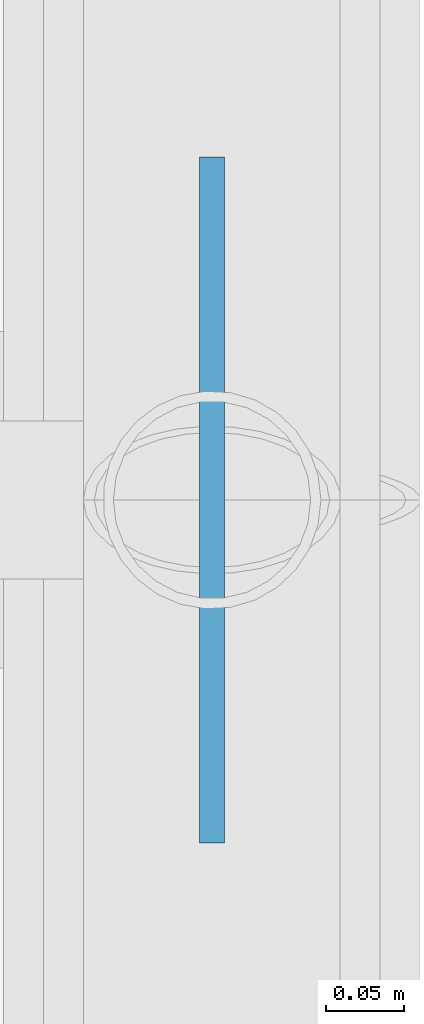
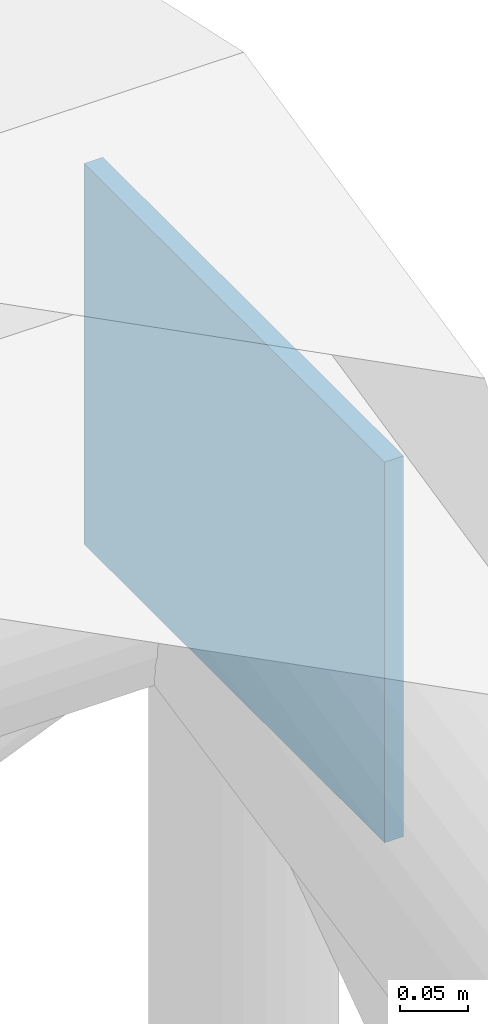
# One storey, part 185 of 194: 1 plate.
"""IFC4 building model written with IfcOpenShell, lengths in metres."""

from ifc_helpers import new_model, si_unit, direction, frame, origin, origin_2d, place, context, subcontext, project, spatial, rectangle, extrude, material, layer, layer_set, type_object, element, save


model = new_model("IFC4")

# Units and contexts
model_context = context("Model", 3, precision=1e-05, world=origin(), true_north=direction((0.0, 1.0)))
body_context = subcontext(model_context, "Body", "Model", "MODEL_VIEW")
ifc_project = project(units=[si_unit("LENGTHUNIT", "METRE"), si_unit("AREAUNIT", "SQUARE_METRE"), si_unit("VOLUMEUNIT", "CUBIC_METRE"), si_unit("PLANEANGLEUNIT", "RADIAN"), si_unit("MASSUNIT", "GRAM", prefix="KILO")], contexts=[model_context])

# Site, building, storey
site_placement = place(None, origin())
site = spatial("IfcSite", under=ifc_project, at=site_placement, CompositionType="ELEMENT")
building_placement = place(site_placement, origin())
building = spatial("IfcBuilding", under=site, at=building_placement, Name="Kazenagashi Tramway Depot", CompositionType="ELEMENT")
storey_placement = place(building_placement, frame((0.0, 0.0, 23.7)))
storey = spatial("IfcBuildingStorey", under=building, at=storey_placement, Name="ROOF", CompositionType="ELEMENT", Elevation=23.7)

# Plate
ifc_material = material(Name="Steel SN490B", Category="steel")
ifc_layer = layer(ifc_material, 0.016)
ifc_layer_set = layer_set([ifc_layer], Name="Steel SN490B")
plate_type = type_object("IfcPlateType", Name="GP-12", PredefinedType="USERDEFINED", material=ifc_layer_set)
plate_placement = place(storey_placement, frame((196.0, 115.0, -10.77), z_axis=(0.0, 0.0, 1.0), x_axis=(0.0, 1.0, 0.0)))
element("IfcPlate", 1, at=plate_placement, inside=storey, type_object=plate_type, Name="Structural Node Plate GP-12 PLT-0074", ObjectType="GUSSET PLATE", PredefinedType="USERDEFINED", context=body_context, shape_type="SweptSolid", body=[
    extrude(rectangle(XDim=0.44, YDim=0.016, at=origin_2d()), origin(), (0.0, 0.0, 1.0), 0.34),
])

save(model, "model.ifc")
